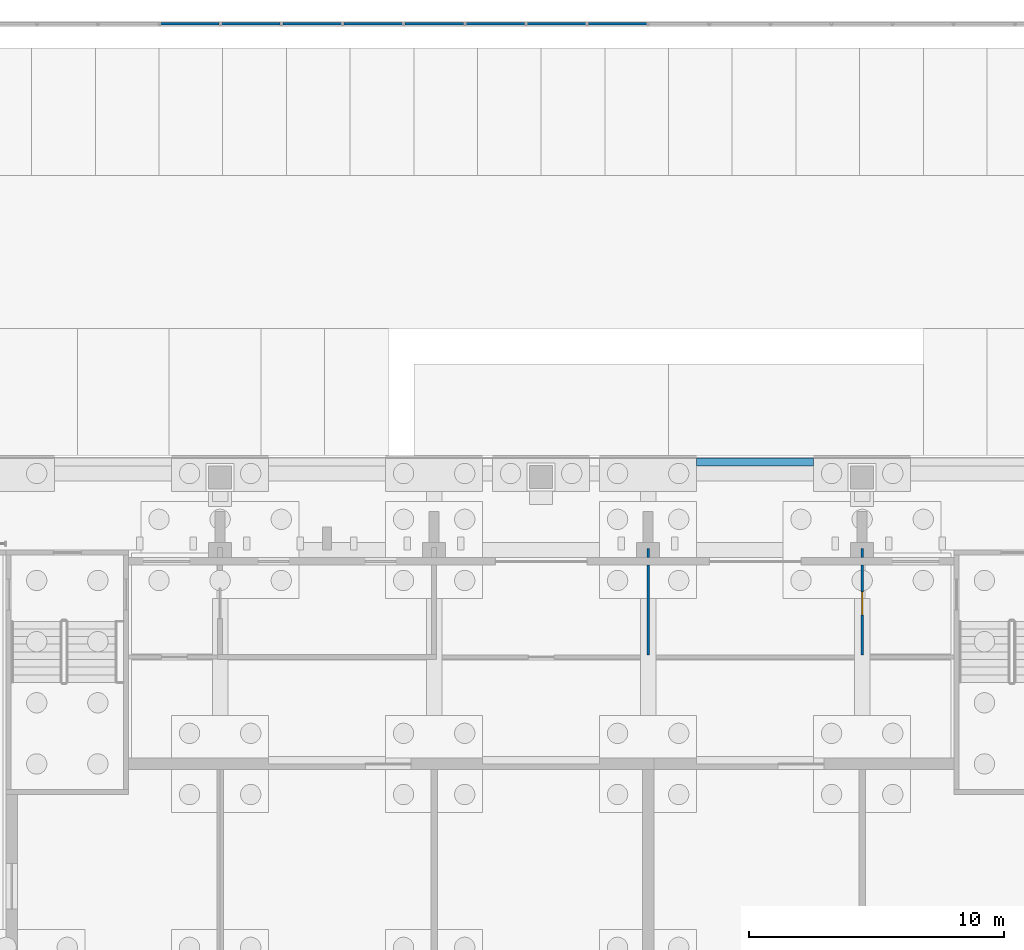
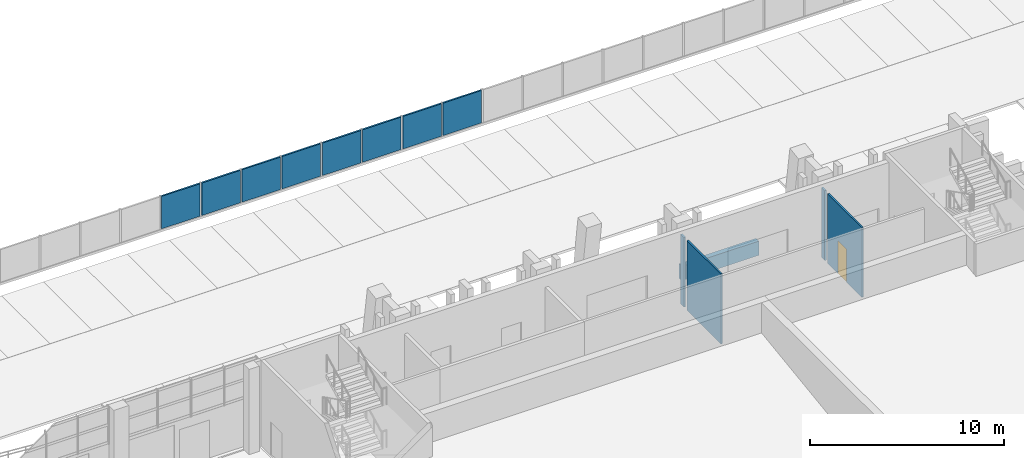
# One storey, part 52 of 129: 13 walls, 1 door, 1 opening.
"""IFC4 building model written with IfcOpenShell, lengths in metres."""

from ifc_helpers import new_model, si_unit, direction, frame, frame_2d, origin, place, context, subcontext, project, spatial, rectangle, extrude, material, layer, layer_set, type_object, element, fill, save


model = new_model("IFC4")

# Units and contexts
model_context = context("Model", 3, precision=1e-05, world=origin(), true_north=direction((0.0, 1.0)))
body_context = subcontext(model_context, "Body", "Model", "MODEL_VIEW")
ifc_project = project(units=[si_unit("LENGTHUNIT", "METRE"), si_unit("AREAUNIT", "SQUARE_METRE"), si_unit("VOLUMEUNIT", "CUBIC_METRE"), si_unit("PLANEANGLEUNIT", "RADIAN"), si_unit("MASSUNIT", "GRAM", prefix="KILO")], contexts=[model_context])

# Site, building, storey
site_placement = place(None, origin())
site = spatial("IfcSite", under=ifc_project, at=site_placement, CompositionType="ELEMENT")
building_placement = place(site_placement, origin())
building = spatial("IfcBuilding", under=site, at=building_placement, Name="Kiln Court Media Centre", CompositionType="ELEMENT")
storey_placement = place(building_placement, origin())
storey = spatial("IfcBuildingStorey", under=building, at=storey_placement, Name="L00", CompositionType="ELEMENT", Elevation=0.0)

# Walls
ifc_material_1 = material(Name="Concrete C30/37", Category="concrete")
ifc_layer_1 = layer(ifc_material_1, 0.300048828125)
ifc_layer_set_1 = layer_set([ifc_layer_1], Name="Concrete C30/37 plinth wall 300")
wall_type_1 = type_object("IfcWallType", Name="Concrete C30/37 plinth wall 300", PredefinedType="SOLIDWALL", material=ifc_layer_set_1)
wall_1_placement = place(storey_placement, frame((85.89990234375, 70.64990234375, -1.199951171875), z_axis=(0.0, 0.0, 1.0), x_axis=(1.0, 0.0, 0.0)))
element("IfcWall", 1, at=wall_1_placement, inside=storey, type_object=wall_type_1, Name="L00-W-1208", PredefinedType="SOLIDWALL", context=body_context, shape_type="SweptSolid", body=[
    extrude(rectangle(XDim=4.60009765625, YDim=0.300048828125, at=frame_2d((2.300048828125, 0.0))), origin(), (0.0, 0.0, 1.0), 0.89990234375),
])
ifc_material_2 = material(Name="Gypsum plasterboard", Category="gypsum")
ifc_layer_2 = layer(ifc_material_2, 0.10009765625)
ifc_layer_set_2 = layer_set([ifc_layer_2], Name="Gypsum stud partition 100")
wall_type_2 = type_object("IfcWallType", Name="Gypsum stud partition 100", PredefinedType="PARTITIONING", material=ifc_layer_set_2)
wall_2_placement = place(storey_placement, frame((84.0, 63.074951171875, 0.0), z_axis=(0.0, 0.0, 1.0), x_axis=(0.0, 1.0, 0.0)))
element("IfcWall", 2, at=wall_2_placement, inside=storey, type_object=wall_type_2, Name="L00 gypsum stud partition", PredefinedType="PARTITIONING", context=body_context, shape_type="SweptSolid", body=[
    extrude(rectangle(XDim=3.525146484375, YDim=0.10009765625, at=frame_2d((1.7626953125, 0.0))), origin(), (0.0, 0.0, 1.0), 4.39990234375),
])
wall_3_placement = place(storey_placement, frame((84.0, 66.89990234375, 0.0), z_axis=(0.0, 0.0, 1.0), x_axis=(0.0, 1.0, 0.0)))
element("IfcWall", 3, at=wall_3_placement, inside=storey, type_object=wall_type_2, Name="L00 gypsum stud partition", PredefinedType="PARTITIONING", context=body_context, shape_type="SweptSolid", body=[
    extrude(rectangle(XDim=0.35009765625, YDim=0.10009765625, at=frame_2d((0.175048828125, 0.0))), origin(), (0.0, 0.0, 1.0), 4.39990234375),
])

# Wall, opening, door
wall_4_placement = place(storey_placement, frame((92.39990234375, 63.074951171875, 0.0), z_axis=(0.0, 0.0, 1.0), x_axis=(0.0, 1.0, 0.0)))
wall_4 = element("IfcWall", 4, at=wall_4_placement, inside=storey, type_object=wall_type_2, Name="L00 gypsum stud partition", PredefinedType="PARTITIONING", context=body_context, shape_type="SweptSolid", body=[
    extrude(rectangle(XDim=3.525146484375, YDim=0.10009765625, at=frame_2d((1.7626953125, 0.0))), origin(), (0.0, 0.0, 1.0), 4.39990234375),
])
opening_placement = place(wall_4_placement, frame((1.574951171875, 0.0, 0.0)))
opening = element("IfcOpeningElement", 5, at=opening_placement, cuts=wall_4, Name="Opening D0031", PredefinedType="OPENING", context=body_context, shape_type="SweptSolid", body=[
    extrude(rectangle(XDim=0.89990234375, YDim=2.10009765625, at=frame_2d((0.449951171875, 1.050048828125))), frame((0.0, 0.06005859375, 0.0), z_axis=(0.0, -1.0, 0.0), x_axis=(1.0, 0.0, 0.0)), (0.0, 0.0, 1.0), 0.1201171875),
])
ifc_material_3 = material(Name="Timber", Category="wood")
door_type = type_object("IfcDoorType", Name="Timber door 900 x 2100", OperationType="SINGLE_SWING_LEFT", PredefinedType="DOOR", material=ifc_material_3)
door_placement = place(opening_placement, origin())
door = element("IfcDoor", 6, at=door_placement, inside=storey, type_object=door_type, Name="Concession Store / Staff Room", OperationType="SINGLE_SWING_LEFT", OverallHeight=2.10009765625, OverallWidth=0.89990234375, PredefinedType="DOOR", context=body_context, shape_type="SweptSolid", body=[
    extrude(rectangle(XDim=0.89990234375, YDim=2.10009765625, at=frame_2d((0.449951171875, 1.050048828125))), frame((0.0, 0.02490234375, 0.0), z_axis=(0.0, -1.0, 0.0), x_axis=(1.0, 0.0, 0.0)), (0.0, 0.0, 1.0), 0.050048828125),
])
fill(opening, door)

# Walls
wall_5_placement = place(storey_placement, frame((92.39990234375, 66.89990234375, 0.0), z_axis=(0.0, 0.0, 1.0), x_axis=(0.0, 1.0, 0.0)))
element("IfcWall", 7, at=wall_5_placement, inside=storey, type_object=wall_type_2, Name="L00 gypsum stud partition", PredefinedType="PARTITIONING", context=body_context, shape_type="SweptSolid", body=[
    extrude(rectangle(XDim=0.35009765625, YDim=0.10009765625, at=frame_2d((0.175048828125, 0.0))), origin(), (0.0, 0.0, 1.0), 4.39990234375),
])
ifc_material_4 = material(Name="Steel ASTM A572 Gr 50", Category="steel")
ifc_layer_3 = layer(ifc_material_4, 0.10009765625)
ifc_layer_set_3 = layer_set([ifc_layer_3], Name="Steel ASTM A572 Gr 50 palisade fence panel 100")
wall_type_3 = type_object("IfcWallType", Name="Steel ASTM A572 Gr 50 palisade fence panel 100", PredefinedType="SOLIDWALL", material=ifc_layer_set_3)
for number, where, z_axis, x_axis, name in (
    (8, (64.862060546875, 87.85009765625, -1.050048828125), (0.0, 0.0, 1.0), (1.0, 0.0, 0.0), "Boundary palisade fence panel 26"),
    (9, (67.260498046875, 87.85009765625, -1.050048828125), (0.0, 0.0, 1.0), (1.0, 0.0, 0.0), "Boundary palisade fence panel 27"),
):
    element("IfcWall", number, at=place(storey_placement, frame(where, z_axis=z_axis, x_axis=x_axis)), inside=storey, type_object=wall_type_3, Name=name, PredefinedType="SOLIDWALL", context=body_context, shape_type="SweptSolid", body=[
        extrude(rectangle(XDim=2.298583984375, YDim=0.10009765625, at=frame_2d((1.1494140625, 0.0))), origin(), (0.0, 0.0, 1.0), 2.050048828125),
    ])
for number, where, z_axis, x_axis, name in (
    (10, (69.6591796875, 87.85009765625, -1.050048828125), (0.0, 0.0, 1.0), (1.0, 0.0, 0.0), "Boundary palisade fence panel 28"),
    (11, (72.0576171875, 87.85009765625, -1.050048828125), (0.0, 0.0, 1.0), (1.0, 0.0, 0.0), "Boundary palisade fence panel 29"),
    (12, (74.4560546875, 87.85009765625, -1.050048828125), (0.0, 0.0, 1.0), (1.0, 0.0, 0.0), "Boundary palisade fence panel 30"),
):
    element("IfcWall", number, at=place(storey_placement, frame(where, z_axis=z_axis, x_axis=x_axis)), inside=storey, type_object=wall_type_3, Name=name, PredefinedType="SOLIDWALL", context=body_context, shape_type="SweptSolid", body=[
        extrude(rectangle(XDim=2.29833984375, YDim=0.10009765625, at=frame_2d((1.149169921875, 0.0))), origin(), (0.0, 0.0, 1.0), 2.050048828125),
    ])
for number, where, z_axis, x_axis, name in (
    (13, (76.8544921875, 87.85009765625, -1.050048828125), (0.0, 0.0, 1.0), (1.0, 0.0, 0.0), "Boundary palisade fence panel 31"),
    (14, (79.2529296875, 87.85009765625, -1.050048828125), (0.0, 0.0, 1.0), (1.0, 0.0, 0.0), "Boundary palisade fence panel 32"),
):
    element("IfcWall", number, at=place(storey_placement, frame(where, z_axis=z_axis, x_axis=x_axis)), inside=storey, type_object=wall_type_3, Name=name, PredefinedType="SOLIDWALL", context=body_context, shape_type="SweptSolid", body=[
        extrude(rectangle(XDim=2.298583984375, YDim=0.10009765625, at=frame_2d((1.1494140625, 0.0))), origin(), (0.0, 0.0, 1.0), 2.050048828125),
    ])
wall_6_placement = place(storey_placement, frame((81.651611328125, 87.85009765625, -1.050048828125), z_axis=(0.0, 0.0, 1.0), x_axis=(1.0, 0.0, 0.0)))
element("IfcWall", 15, at=wall_6_placement, inside=storey, type_object=wall_type_3, Name="Boundary palisade fence panel 33", PredefinedType="SOLIDWALL", context=body_context, shape_type="SweptSolid", body=[
    extrude(rectangle(XDim=2.29833984375, YDim=0.10009765625, at=frame_2d((1.149169921875, 0.0))), origin(), (0.0, 0.0, 1.0), 2.050048828125),
])

save(model, "model.ifc")
